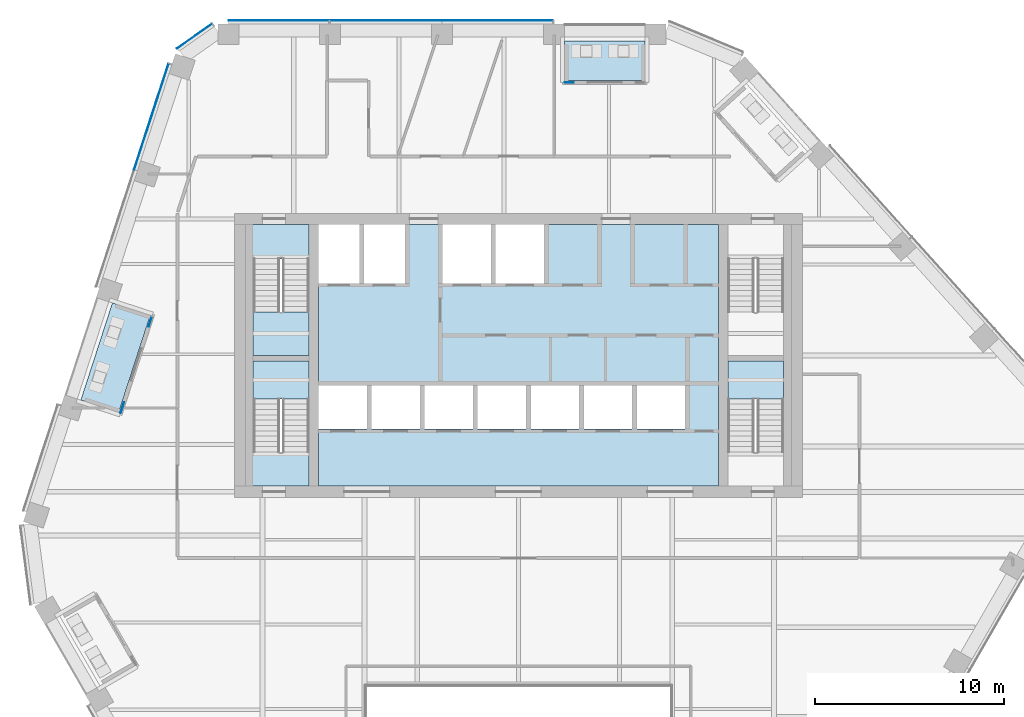
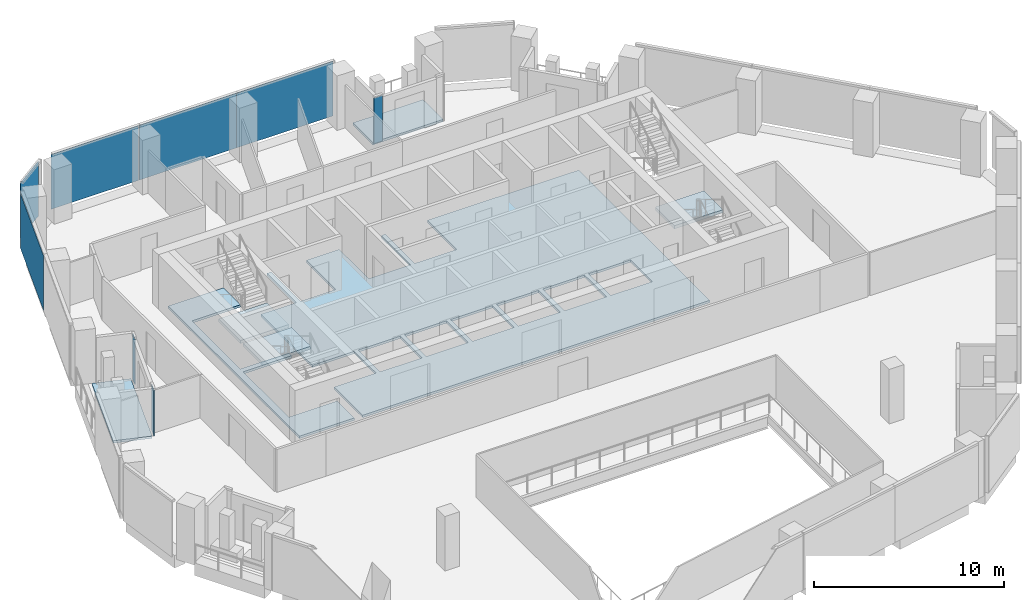
# One storey, part 13 of 24: 8 plates, 7 slabs, 8 elements without a shape of their own.
"""IFC4 building model written with IfcOpenShell, lengths in metres."""

from ifc_helpers import new_model, si_unit, direction, frame, origin, origin_2d, place, context, subcontext, project, spatial, polyline, rectangle, outline, extrude, material, layer, layer_set, type_object, element, aggregate, save


model = new_model("IFC4")

# Units and contexts
model_context = context("Model", 3, precision=1e-05, world=origin(), true_north=direction((0.0, 1.0)))
body_context = subcontext(model_context, "Body", "Model", "MODEL_VIEW")
ifc_project = project(units=[si_unit("LENGTHUNIT", "METRE"), si_unit("AREAUNIT", "SQUARE_METRE"), si_unit("VOLUMEUNIT", "CUBIC_METRE"), si_unit("PLANEANGLEUNIT", "RADIAN"), si_unit("MASSUNIT", "GRAM", prefix="KILO")], contexts=[model_context])

# Site, building, storey
site_placement = place(None, origin())
site = spatial("IfcSite", under=ifc_project, at=site_placement, CompositionType="ELEMENT")
building_placement = place(site_placement, origin())
building = spatial("IfcBuilding", under=site, at=building_placement, Name="Isthmus Gate Tower", CompositionType="ELEMENT")
storey_placement = place(building_placement, frame((0.0, 0.0, 219.949951171875)))
storey = spatial("IfcBuildingStorey", under=building, at=storey_placement, Name="L55", CompositionType="ELEMENT", Elevation=219.949951171875)

# Slabs
ifc_material_1 = material(Name="Concrete f'c 40 MPa", Category="concrete")
ifc_layer_1 = layer(ifc_material_1, 0.14990234375)
ifc_layer_set_1 = layer_set([ifc_layer_1], Name="CORE FLOOR SLAB 150")
slab_type_1 = type_object("IfcSlabType", Name="CORE FLOOR SLAB 150", PredefinedType="FLOOR", material=ifc_layer_set_1)
slab_1_placement = place(storey_placement, frame((0.0, 0.0, -0.14990234375)))
element("IfcSlab", 1, at=slab_1_placement, inside=storey, type_object=slab_type_1, Name="L55 core floor", PredefinedType="FLOOR", context=body_context, shape_type="SweptSolid", body=[
    extrude(outline(polyline([(-11.050048828125, 0.60009765625), (-11.050048828125, 2.402099609375), (-14.0, 2.402099609375), (-14.0, 7.199951171875), (-11.050048828125, 7.199951171875), (-11.050048828125, 7.5), (-14.0, 7.5), (-14.0, 12.597900390625), (-11.050048828125, 12.597900390625), (-11.050048828125, 14.39990234375), (-14.39990234375, 14.39990234375), (-14.39990234375, 0.60009765625), (-11.050048828125, 0.60009765625)])), origin(), (0.0, 0.0, 1.0), 0.14990234375),
])
slab_2_placement = place(storey_placement, frame((0.0, 0.0, -0.14990234375)))
element("IfcSlab", 2, at=slab_2_placement, inside=storey, type_object=slab_type_1, Name="L55 core floor", PredefinedType="FLOOR", context=body_context, shape_type="SweptSolid", body=[
    extrude(outline(polyline([(10.550048828125, 14.39990234375), (1.35009765625, 14.39990234375), (1.35009765625, 11.300048828125), (-1.199951171875, 11.300048828125), (-1.199951171875, 14.39990234375), (-1.449951171875, 14.39990234375), (-1.449951171875, 11.300048828125), (-4.0, 11.300048828125), (-4.0, 14.39990234375), (-6.0, 14.39990234375), (-6.0, 11.300048828125), (-8.14990234375, 11.300048828125), (-8.14990234375, 14.39990234375), (-8.39990234375, 14.39990234375), (-8.39990234375, 11.300048828125), (-10.550048828125, 11.300048828125), (-10.550048828125, 5.89990234375), (-8.0, 5.89990234375), (-8.0, 3.60009765625), (-10.550048828125, 3.60009765625), (-10.550048828125, 0.60009765625), (10.550048828125, 0.60009765625), (10.550048828125, 14.39990234375)]), holes=[polyline([(-5.199951171875, 5.89990234375), (-5.199951171875, 3.60009765625), (-7.75, 3.60009765625), (-7.75, 5.89990234375), (-5.199951171875, 5.89990234375)]), polyline([(-2.39990234375, 5.89990234375), (-2.39990234375, 3.60009765625), (-4.949951171875, 3.60009765625), (-4.949951171875, 5.89990234375), (-2.39990234375, 5.89990234375)]), polyline([(0.39990234375, 5.89990234375), (0.39990234375, 3.60009765625), (-2.14990234375, 3.60009765625), (-2.14990234375, 5.89990234375), (0.39990234375, 5.89990234375)]), polyline([(3.199951171875, 5.89990234375), (3.199951171875, 3.60009765625), (0.64990234375, 3.60009765625), (0.64990234375, 5.89990234375), (3.199951171875, 5.89990234375)]), polyline([(6.0, 5.89990234375), (6.0, 3.60009765625), (3.449951171875, 3.60009765625), (3.449951171875, 5.89990234375), (6.0, 5.89990234375)]), polyline([(8.800048828125, 5.89990234375), (8.800048828125, 3.60009765625), (6.25, 3.60009765625), (6.25, 5.89990234375), (8.800048828125, 5.89990234375)])]), origin(), (0.0, 0.0, 1.0), 0.14990234375),
])

# Curtain wall, plates
ifc_material_2 = material(Name="Aluminium, pale champagne anodised", Category="aluminium")
ifc_layer_2 = layer(ifc_material_2, 0.199951171875)
ifc_layer_set_2 = layer_set([ifc_layer_2], Name="CW-1 UNITISED CURTAIN WALL 200 DEEP")
curtain_wall_type_1 = type_object("IfcCurtainWallType", Name="CW-1 UNITISED CURTAIN WALL 200 DEEP", PredefinedType="NOTDEFINED", material=ifc_layer_set_2)
curtain_wall_1_placement = place(storey_placement, origin())
curtain_wall_1 = element("IfcCurtainWall", 3, at=curtain_wall_1_placement, inside=storey, type_object=curtain_wall_type_1, Name="CW-1 N L55", PredefinedType="NOTDEFINED")
ifc_material_3 = material(Name="Laminated low-iron glass, pale blue tint", Category="glass")
ifc_layer_3 = layer(ifc_material_3, 0.031982421875)
ifc_layer_set_3 = layer_set([ifc_layer_3], Name="CW-1 CLEAR GLASS LITE 32")
plate_type_1 = type_object("IfcPlateType", Name="CW-1 CLEAR GLASS LITE 32", PredefinedType="CURTAIN_PANEL", material=ifc_layer_set_3)
plate_1_placement = place(storey_placement, frame((-1.104736328125, 25.18408203125, 0.0), z_axis=(0.0, 0.0, 1.0), x_axis=(-1.0, 0.0, 0.0)))
plate_1 = element("IfcPlate", 4, at=plate_1_placement, type_object=plate_type_1, Name="CW-1 glass lite", PredefinedType="CURTAIN_PANEL", context=body_context, shape_type="SweptSolid", body=[
    extrude(rectangle(XDim=5.8505859375, YDim=0.031982421875, at=origin_2d()), origin(), (0.0, 0.0, 1.0), 3.52001953125),
])
plate_2_placement = place(storey_placement, frame((-6.9853515625, 25.18408203125, 0.0), z_axis=(0.0, 0.0, 1.0), x_axis=(-1.0, 0.0, 0.0)))
plate_2 = element("IfcPlate", 5, at=plate_2_placement, type_object=plate_type_1, Name="CW-1 glass lite", PredefinedType="CURTAIN_PANEL", context=body_context, shape_type="SweptSolid", body=[
    extrude(rectangle(XDim=5.91064453125, YDim=0.031982421875, at=origin_2d()), origin(), (0.0, 0.0, 1.0), 3.52001953125),
])
plate_3_placement = place(storey_placement, frame((-12.65087890625, 25.18408203125, 0.0), z_axis=(0.0, 0.0, 1.0), x_axis=(-1.0, 0.0, 0.0)))
plate_3 = element("IfcPlate", 6, at=plate_3_placement, type_object=plate_type_1, Name="CW-1 glass lite", PredefinedType="CURTAIN_PANEL", context=body_context, shape_type="SweptSolid", body=[
    extrude(rectangle(XDim=5.300537109375, YDim=0.031982421875, at=origin_2d()), origin(), (0.0, 0.0, 1.0), 3.52001953125),
])
aggregate(curtain_wall_1, [plate_1, plate_2, plate_3])

# Curtain wall, plate
curtain_wall_2_placement = place(storey_placement, origin())
curtain_wall_2 = element("IfcCurtainWall", 7, at=curtain_wall_2_placement, inside=storey, type_object=curtain_wall_type_1, Name="CW-1 N-NW L55", PredefinedType="NOTDEFINED")
plate_4_placement = place(storey_placement, frame((-17.1025390625, 24.3447265625, 0.0), z_axis=(0.0, 0.0, 1.0), x_axis=(-0.81785959165, -0.57541783805, 0.0)))
plate_4 = element("IfcPlate", 8, at=plate_4_placement, type_object=plate_type_1, Name="CW-1 glass lite", PredefinedType="CURTAIN_PANEL", context=body_context, shape_type="SweptSolid", body=[
    extrude(rectangle(XDim=2.258544921875, YDim=0.031982421875, at=origin_2d()), origin(), (0.0, 0.0, 1.0), 3.52001953125),
])
aggregate(curtain_wall_2, [plate_4])

curtain_wall_3_placement = place(storey_placement, origin())
curtain_wall_3 = element("IfcCurtainWall", 9, at=curtain_wall_3_placement, inside=storey, type_object=curtain_wall_type_1, Name="CW-1 NW L55", PredefinedType="NOTDEFINED")
plate_5_placement = place(storey_placement, frame((-19.37646484375, 20.0947265625, 0.0), z_axis=(0.0, 0.0, 1.0), x_axis=(-0.309016994375, -0.951056516295, 0.0)))
plate_5 = element("IfcPlate", 10, at=plate_5_placement, type_object=plate_type_1, Name="CW-1 glass lite", PredefinedType="CURTAIN_PANEL", context=body_context, shape_type="SweptSolid", body=[
    extrude(rectangle(XDim=5.8818359375, YDim=0.031982421875, at=origin_2d()), origin(), (0.0, 0.0, 1.0), 3.52001953125),
])
aggregate(curtain_wall_3, [plate_5])

ifc_material_4 = material(Name="Aluminium, pale champagne anodised", Category="aluminium")
ifc_layer_4 = layer(ifc_material_4, 0.14990234375)
ifc_layer_set_4 = layer_set([ifc_layer_4], Name="CW-6 LOGGIA BACK WALL GLAZING 150 DEEP")
curtain_wall_type_2 = type_object("IfcCurtainWallType", Name="CW-6 LOGGIA BACK WALL GLAZING 150 DEEP", PredefinedType="NOTDEFINED", material=ifc_layer_set_4)
curtain_wall_4_placement = place(storey_placement, origin())
curtain_wall_4 = element("IfcCurtainWall", 11, at=curtain_wall_4_placement, inside=storey, type_object=curtain_wall_type_2, Name="CW-6 N L55", PredefinedType="NOTDEFINED")
ifc_material_5 = material(Name="Laminated low-iron glass, clear", Category="glass")
ifc_layer_5 = layer(ifc_material_5, 0.031982421875)
ifc_layer_set_5 = layer_set([ifc_layer_5], Name="CW-6 CLEAR GLASS LITE 32")
plate_type_2 = type_object("IfcPlateType", Name="CW-6 CLEAR GLASS LITE 32", PredefinedType="CURTAIN_PANEL", material=ifc_layer_set_5)
plate_6_placement = place(storey_placement, frame((2.680419921875, 21.89990234375, 0.0), z_axis=(0.0, 0.0, 1.0), x_axis=(-1.0, 0.0, 0.0)))
plate_6 = element("IfcPlate", 12, at=plate_6_placement, type_object=plate_type_2, Name="CW-6 glass lite", PredefinedType="CURTAIN_PANEL", context=body_context, shape_type="SweptSolid", body=[
    extrude(rectangle(XDim=0.5, YDim=0.031982421875, at=origin_2d()), origin(), (0.0, 0.0, 1.0), 2.929931640625),
])
aggregate(curtain_wall_4, [plate_6])

# Curtain wall, plates
curtain_wall_5_placement = place(storey_placement, origin())
curtain_wall_5 = element("IfcCurtainWall", 13, at=curtain_wall_5_placement, inside=storey, type_object=curtain_wall_type_2, Name="CW-6 NW L55", PredefinedType="NOTDEFINED")
plate_7_placement = place(storey_placement, frame((-19.439453125, 9.273681640625, 0.0), z_axis=(0.0, 0.0, 1.0), x_axis=(-0.309016994375, -0.951056516295, 0.0)))
plate_7 = element("IfcPlate", 14, at=plate_7_placement, type_object=plate_type_2, Name="CW-6 glass lite", PredefinedType="CURTAIN_PANEL", context=body_context, shape_type="SweptSolid", body=[
    extrude(rectangle(XDim=0.535888671875, YDim=0.031982421875, at=origin_2d()), origin(), (0.0, 0.0, 1.0), 2.929931640625),
])
plate_8_placement = place(storey_placement, frame((-20.912109375, 4.740966796875, 0.0), z_axis=(0.0, 0.0, 1.0), x_axis=(-0.309016994375, -0.951056516295, 0.0)))
plate_8 = element("IfcPlate", 15, at=plate_8_placement, type_object=plate_type_2, Name="CW-6 glass lite", PredefinedType="CURTAIN_PANEL", context=body_context, shape_type="SweptSolid", body=[
    extrude(rectangle(XDim=0.595947265625, YDim=0.031982421875, at=origin_2d()), origin(), (0.0, 0.0, 1.0), 2.929931640625),
])
aggregate(curtain_wall_5, [plate_7, plate_8])

# Slabs
ifc_material_6 = material(Name="Concrete f'c 50 MPa", Category="concrete")
ifc_layer_6 = layer(ifc_material_6, 0.14990234375)
ifc_layer_set_6 = layer_set([ifc_layer_6], Name="LOGGIA FLOOR SLAB 150")
slab_type_2 = type_object("IfcSlabType", Name="LOGGIA FLOOR SLAB 150", PredefinedType="FLOOR", material=ifc_layer_set_6)
slab_3_placement = place(storey_placement, frame((0.0, 0.0, -0.14990234375)))
element("IfcSlab", 16, at=slab_3_placement, inside=storey, type_object=slab_type_2, Name="LOGGIA FLOOR", PredefinedType="FLOOR", context=body_context, shape_type="SweptSolid", body=[
    extrude(outline(polyline([(6.691162109375, 24.10009765625), (2.430419921875, 24.10009765625), (2.430419921875, 22.0), (6.691162109375, 22.0), (6.691162109375, 24.10009765625)])), origin(), (0.0, 0.0, 1.0), 0.14990234375),
])
slab_4_placement = place(storey_placement, frame((0.0, 0.0, -0.14990234375)))
element("IfcSlab", 17, at=slab_4_placement, inside=storey, type_object=slab_type_2, Name="LOGGIA FLOOR", PredefinedType="FLOOR", context=body_context, shape_type="SweptSolid", body=[
    extrude(outline(polyline([(-21.430419921875, 10.265380859375), (-23.096435546875, 5.137451171875), (-21.099365234375, 4.488525390625), (-19.43310546875, 9.616455078125), (-21.430419921875, 10.265380859375)])), origin(), (0.0, 0.0, 1.0), 0.14990234375),
])

# Stair, slab
ifc_material_7 = material(Name="Concrete f'c 40 MPa", Category="concrete")
stair_type = type_object("IfcStairType", Name="CORE STAIR 22 RISERS", PredefinedType="HALF_TURN_STAIR", material=ifc_material_7)
stair_1_placement = place(storey_placement, origin())
stair_1 = element("IfcStair", 18, at=stair_1_placement, inside=storey, type_object=stair_type, Name="L55 Exit Stair 1", PredefinedType="HALF_TURN_STAIR")
ifc_material_8 = material(Name="Concrete f'c 40 MPa", Category="concrete")
ifc_layer_7 = layer(ifc_material_8, 0.199951171875)
ifc_layer_set_7 = layer_set([ifc_layer_7])
slab_type_3 = type_object("IfcSlabType", Name="STAIR LANDING RC 200", PredefinedType="LANDING", material=ifc_layer_set_7)
slab_5_placement = place(storey_placement, frame((0.0, 0.0, 1.625)))
slab_5 = element("IfcSlab", 19, at=slab_5_placement, type_object=slab_type_3, Name="ST1 landing 1", PredefinedType="LANDING", context=body_context, shape_type="SweptSolid", body=[
    extrude(outline(polyline([(-14.0, 9.800048828125), (-14.0, 7.5), (-11.050048828125, 7.5), (-11.050048828125, 9.800048828125), (-14.0, 9.800048828125)])), origin(), (0.0, 0.0, 1.0), 0.199951171875),
])
aggregate(stair_1, [slab_5])

stair_2_placement = place(storey_placement, origin())
stair_2 = element("IfcStair", 20, at=stair_2_placement, inside=storey, type_object=stair_type, Name="L55 Exit Stair 7", PredefinedType="HALF_TURN_STAIR")
slab_6_placement = place(storey_placement, frame((0.0, 0.0, 1.625)))
slab_6 = element("IfcSlab", 21, at=slab_6_placement, type_object=slab_type_3, Name="ST7 landing 1", PredefinedType="LANDING", context=body_context, shape_type="SweptSolid", body=[
    extrude(outline(polyline([(-11.050048828125, 5.199951171875), (-11.050048828125, 7.199951171875), (-14.0, 7.199951171875), (-14.0, 5.199951171875), (-11.050048828125, 5.199951171875)])), origin(), (0.0, 0.0, 1.0), 0.199951171875),
])
aggregate(stair_2, [slab_6])

stair_3_placement = place(storey_placement, origin())
stair_3 = element("IfcStair", 22, at=stair_3_placement, inside=storey, type_object=stair_type, Name="L55 Exit Stair 8", PredefinedType="HALF_TURN_STAIR")
slab_7_placement = place(storey_placement, frame((0.0, 0.0, 1.625)))
slab_7 = element("IfcSlab", 23, at=slab_7_placement, type_object=slab_type_3, Name="ST8 landing 1", PredefinedType="LANDING", context=body_context, shape_type="SweptSolid", body=[
    extrude(outline(polyline([(14.0, 5.199951171875), (14.0, 7.199951171875), (11.050048828125, 7.199951171875), (11.050048828125, 5.199951171875), (14.0, 5.199951171875)])), origin(), (0.0, 0.0, 1.0), 0.199951171875),
])
aggregate(stair_3, [slab_7])

save(model, "model.ifc")
